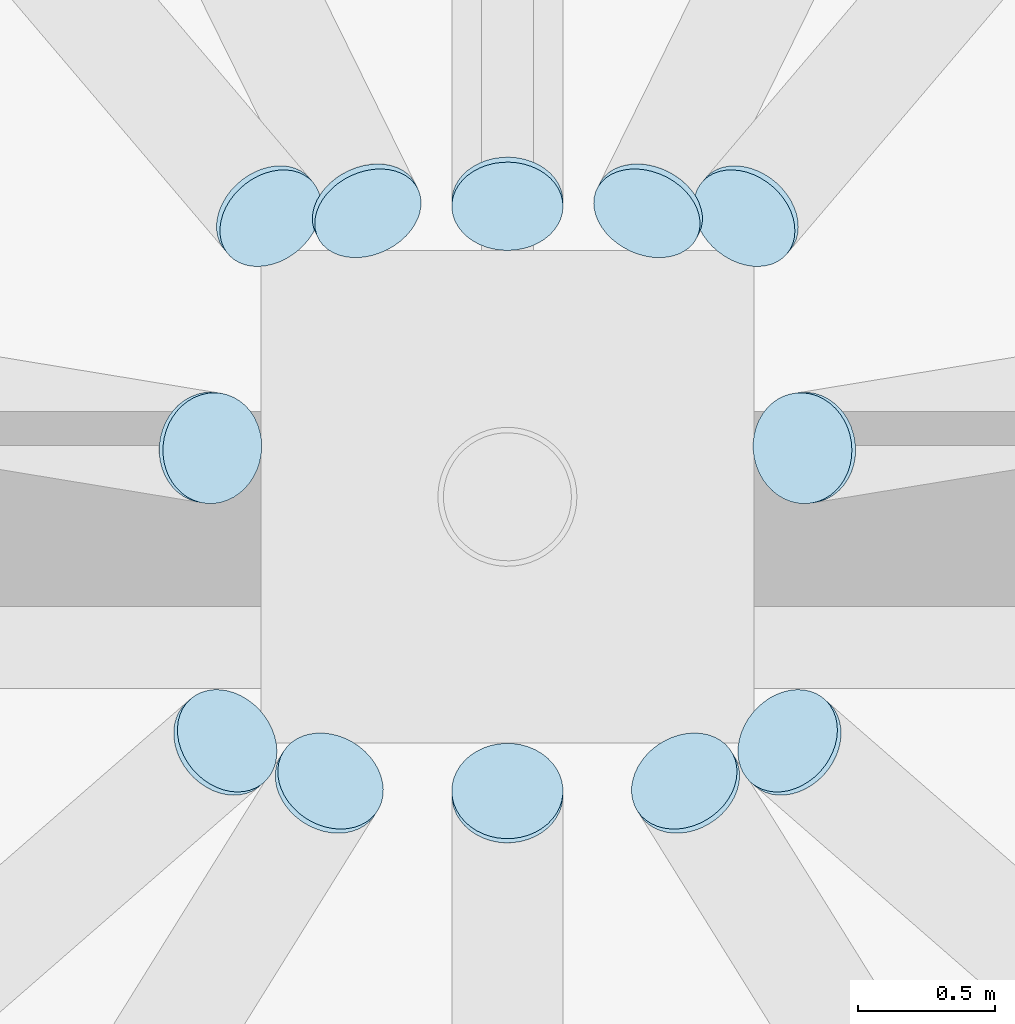
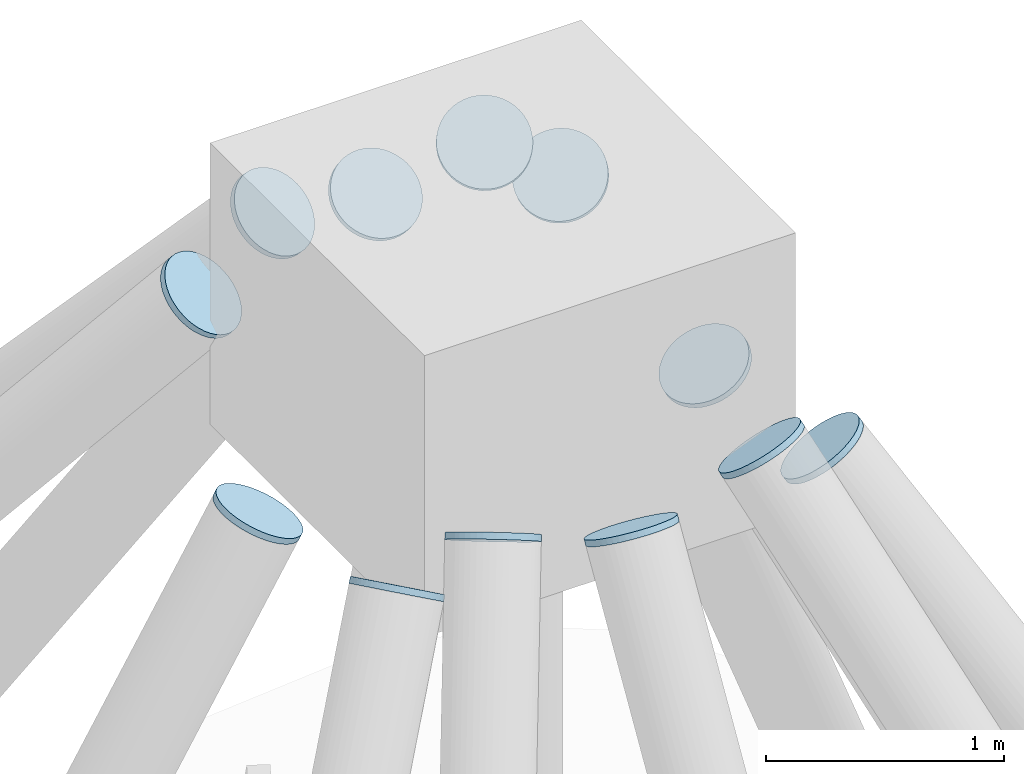
# One storey, part 23 of 28: 12 plates.
"""IFC4 building model written with IfcOpenShell, lengths in metres."""

from ifc_helpers import new_model, si_unit, direction, frame, origin, origin_2d, place, context, subcontext, project, spatial, circle, extrude, material, layer, layer_set, type_object, element, save


model = new_model("IFC4")

# Units and contexts
model_context = context("Model", 3, precision=1e-05, world=origin(), true_north=direction((0.0, 1.0)))
body_context = subcontext(model_context, "Body", "Model", "MODEL_VIEW")
ifc_project = project(units=[si_unit("LENGTHUNIT", "METRE"), si_unit("AREAUNIT", "SQUARE_METRE"), si_unit("VOLUMEUNIT", "CUBIC_METRE"), si_unit("PLANEANGLEUNIT", "RADIAN"), si_unit("MASSUNIT", "GRAM", prefix="KILO")], contexts=[model_context])

# Site, building, storey
site_placement = place(None, origin())
site = spatial("IfcSite", under=ifc_project, at=site_placement, CompositionType="ELEMENT")
building_placement = place(site_placement, origin())
building = spatial("IfcBuilding", under=site, at=building_placement, Name="Verdant Reach Tower", CompositionType="ELEMENT")
storey_placement = place(building_placement, frame((0.0, 0.0, 368.0)))
storey = spatial("IfcBuildingStorey", under=building, at=storey_placement, Name="L83 Crown plant", CompositionType="ELEMENT", Elevation=368.0)

# Plates
ifc_material = material(Name="Steel S460", Category="steel")
ifc_layer = layer(ifc_material, 0.030029296875)
ifc_layer_set = layer_set([ifc_layer], Name="ST-PLATE-CAP30")
plate_type = type_object("IfcPlateType", Name="ST-PLATE-CAP30", PredefinedType="SHEET", material=ifc_layer_set)
for number, where, z_axis, x_axis, name in (
    (1, (0.655517578125, 36.94677734375, 40.3447265625), (-0.316686157959, 0.503449789576, 0.803895631742), (-0.846460752871, -0.532451118741, 0.0), "Hub end plate, crown rib 1"),
    (2, (1.037109375, 37.09716796875, 40.12109375), (-0.44713969422, 0.390231005864, 0.804851449595), (-0.657534246575, -0.753424657534, 0.0), "Hub end plate, crown rib 2"),
):
    element("IfcPlate", number, at=place(storey_placement, frame(where, z_axis=z_axis, x_axis=x_axis)), inside=storey, type_object=plate_type, Name=name, PredefinedType="SHEET", context=body_context, shape_type="SweptSolid", body=[
        extrude(circle(Radius=0.203125, at=origin_2d()), origin(), (0.0, 0.0, 1.0), 0.030029296875),
    ])
plate_1_placement = place(storey_placement, frame((1.091552734375, 38.1796875, 39.872314453125), z_axis=(-0.459062659815, -0.07377792747, 0.885335129644), x_axis=(0.158678095384, -0.987330371277, 0.0)))
element("IfcPlate", 3, at=plate_1_placement, inside=storey, type_object=plate_type, Name="Hub end plate, crown rib 3", PredefinedType="SHEET", context=body_context, shape_type="SweptSolid", body=[
    extrude(circle(Radius=0.203125, at=origin_2d()), origin(), (0.0, 0.0, 1.0), 0.02978515625),
])
for number, where, z_axis, x_axis, name in (
    (4, (0.877685546875, 39.03271484375, 40.40966796875), (-0.414237321333, -0.495460325516, 0.763496239319), (0.767189392151, -0.64142063934, 0.0), "Hub end plate, crown rib 4"),
    (5, (0.518310546875, 39.0537109375, 40.69140625), (-0.293420849392, -0.603142857084, 0.741702702631), (0.899235088746, -0.437465718849, 0.0), "Hub end plate, crown rib 5"),
    (6, (0.0, 39.07958984375, 40.591064453125), (0.0, -0.607750843191, 0.794127768436), (1.0, 0.0, 0.0), "Hub end plate, crown rib 6"),
    (7, (-0.518310546875, 39.0537109375, 40.69140625), (0.293420849392, -0.603142857084, 0.741702702631), (0.899235088746, 0.437465718849, 0.0), "Hub end plate, crown rib 7"),
    (8, (-0.877685546875, 39.03271484375, 40.40966796875), (0.414237321333, -0.495460325516, 0.763496239319), (0.767189392151, 0.64142063934, 0.0), "Hub end plate, crown rib 8"),
):
    element("IfcPlate", number, at=place(storey_placement, frame(where, z_axis=z_axis, x_axis=x_axis)), inside=storey, type_object=plate_type, Name=name, PredefinedType="SHEET", context=body_context, shape_type="SweptSolid", body=[
        extrude(circle(Radius=0.203125, at=origin_2d()), origin(), (0.0, 0.0, 1.0), 0.030029296875),
    ])
plate_2_placement = place(storey_placement, frame((-1.091552734375, 38.1796875, 39.872314453125), z_axis=(0.459062659815, -0.07377792747, 0.885335129644), x_axis=(0.158678095384, 0.987330371277, 0.0)))
element("IfcPlate", 9, at=plate_2_placement, inside=storey, type_object=plate_type, Name="Hub end plate, crown rib 9", PredefinedType="SHEET", context=body_context, shape_type="SweptSolid", body=[
    extrude(circle(Radius=0.203125, at=origin_2d()), origin(), (0.0, 0.0, 1.0), 0.02978515625),
])
for number, where, z_axis, x_axis, name in (
    (10, (-1.037109375, 37.09716796875, 40.12109375), (0.44713969422, 0.390231005864, 0.804851449595), (-0.657534246575, 0.753424657534, 0.0), "Hub end plate, crown rib 10"),
    (11, (-0.655517578125, 36.94677734375, 40.3447265625), (0.316686157959, 0.503449789576, 0.803895631742), (-0.846460752871, 0.532451118741, 0.0), "Hub end plate, crown rib 11"),
):
    element("IfcPlate", number, at=place(storey_placement, frame(where, z_axis=z_axis, x_axis=x_axis)), inside=storey, type_object=plate_type, Name=name, PredefinedType="SHEET", context=body_context, shape_type="SweptSolid", body=[
        extrude(circle(Radius=0.203125, at=origin_2d()), origin(), (0.0, 0.0, 1.0), 0.030029296875),
    ])
plate_3_placement = place(storey_placement, frame((0.0, 36.91015625, 40.17578125), z_axis=(0.0, 0.514495755428, 0.857492925713), x_axis=(-1.0, 0.0, 0.0)))
element("IfcPlate", 12, at=plate_3_placement, inside=storey, type_object=plate_type, Name="Hub end plate, crown rib 12", PredefinedType="SHEET", context=body_context, shape_type="SweptSolid", body=[
    extrude(circle(Radius=0.203125, at=origin_2d()), origin(), (0.0, 0.0, 1.0), 0.02978515625),
])

save(model, "model.ifc")
